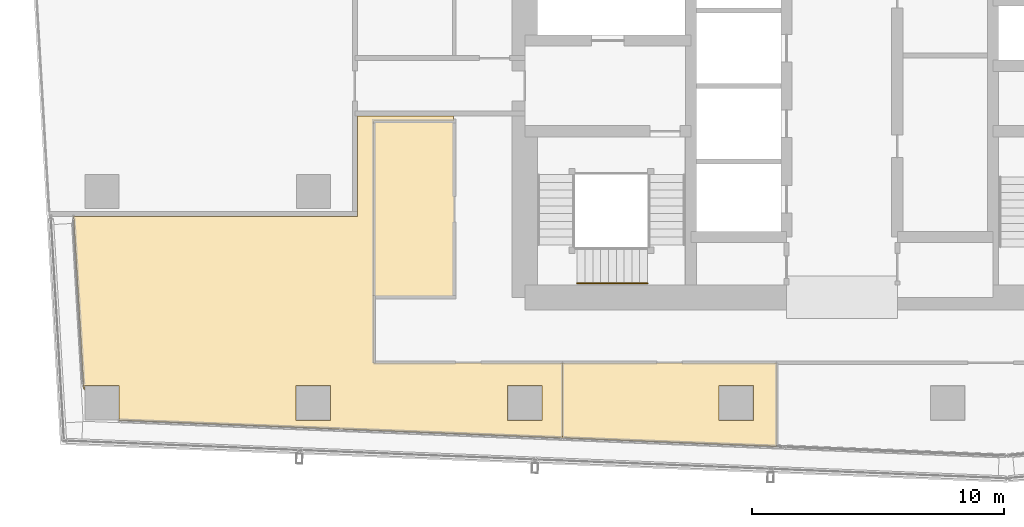
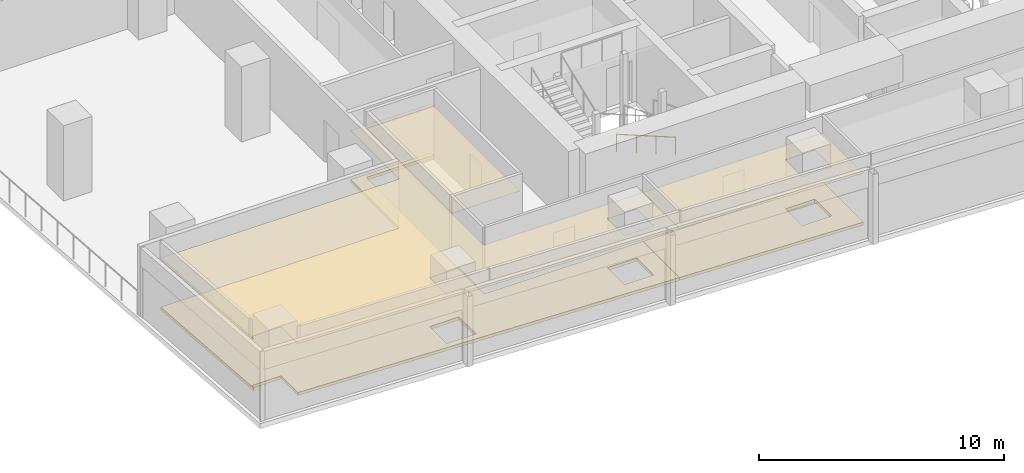
# One storey, part 30 of 39: 5 coverings, 1 railing.
"""IFC4 building model written with IfcOpenShell, lengths in metres."""

from ifc_helpers import new_model, si_unit, direction, frame, origin, origin_2d, place, context, subcontext, project, spatial, polyline, circle, outline, extrude, material, layer, layer_set, type_object, element, save


model = new_model("IFC4")

# Units and contexts
model_context = context("Model", 3, precision=1e-05, world=origin(), true_north=direction((0.0, 1.0)))
body_context = subcontext(model_context, "Body", "Model", "MODEL_VIEW")
ifc_project = project(units=[si_unit("LENGTHUNIT", "METRE"), si_unit("AREAUNIT", "SQUARE_METRE"), si_unit("VOLUMEUNIT", "CUBIC_METRE"), si_unit("PLANEANGLEUNIT", "RADIAN"), si_unit("MASSUNIT", "GRAM", prefix="KILO")], contexts=[model_context])

# Site, building, storey
site_placement = place(None, origin())
site = spatial("IfcSite", under=ifc_project, at=site_placement, CompositionType="ELEMENT")
building_placement = place(site_placement, origin())
building = spatial("IfcBuilding", under=site, at=building_placement, Name="Rekha Terrace Tower", CompositionType="ELEMENT")
storey_placement = place(building_placement, frame((0.0, 0.0, 221.449951171875)))
storey = spatial("IfcBuildingStorey", under=building, at=storey_placement, Name="L56", CompositionType="ELEMENT", Elevation=221.449951171875)

# Coverings
ifc_material_1 = material(Name="Mineral fibre tile in exposed grid", Category="finish")
ifc_layer_1 = layer(ifc_material_1, 0.02001953125)
ifc_layer_set_1 = layer_set([ifc_layer_1], Name="Mineral fibre tile in exposed grid")
covering_type_1 = type_object("IfcCoveringType", Name="CL1 600x1200 office grid ceiling", PredefinedType="CEILING", material=ifc_layer_set_1)
covering_1_placement = place(storey_placement, frame((0.0, 0.0, 2.580078125)))
element("IfcCovering", 1, at=covering_1_placement, inside=storey, type_object=covering_type_1, Name="Ceiling L56-10", PredefinedType="CEILING", context=body_context, shape_type="SweptSolid", body=[
    extrude(outline(polyline([(7.281005859375, 24.178955078125), (7.43505859375, 21.554931640625), (7.68408203125, 17.319091796875), (7.7099609375, 17.320068359375), (7.7099609375, 17.489990234375), (9.090087890625, 17.489990234375), (9.090087890625, 16.117919921875), (17.89990234375, 15.76611328125), (26.702880859375, 15.4150390625), (26.702880859375, 18.39990234375), (19.199951171875, 18.39990234375), (19.199951171875, 28.0), (22.375, 28.0), (22.375, 28.198974609375), (18.551025390625, 28.198974609375), (18.551025390625, 24.2109375), (7.279052734375, 24.2109375), (7.281005859375, 24.178955078125)]), holes=[polyline([(25.889892578125, 17.489990234375), (25.889892578125, 16.110107421875), (24.510009765625, 16.110107421875), (24.510009765625, 17.489990234375), (25.889892578125, 17.489990234375)]), polyline([(17.489990234375, 17.489990234375), (17.489990234375, 16.110107421875), (16.110107421875, 16.110107421875), (16.110107421875, 17.489990234375), (17.489990234375, 17.489990234375)])]), origin(), (0.0, 0.0, 1.0), 0.02001953125),
])
covering_2_placement = place(storey_placement, frame((0.0, 0.0, 2.580078125)))
element("IfcCovering", 2, at=covering_2_placement, inside=storey, type_object=covering_type_1, Name="Ceiling L56-11", PredefinedType="CEILING", context=body_context, shape_type="SweptSolid", body=[
    extrude(outline(polyline([(26.7041015625, 18.39990234375), (26.7041015625, 15.4150390625), (35.197998046875, 15.075927734375), (35.197998046875, 18.39990234375), (26.7041015625, 18.39990234375)]), holes=[polyline([(34.2900390625, 16.110107421875), (32.909912109375, 16.110107421875), (32.909912109375, 17.489990234375), (34.2900390625, 17.489990234375), (34.2900390625, 16.110107421875)])]), origin(), (0.0, 0.0, 1.0), 0.02001953125),
])
ifc_material_2 = material(Name="Fibre cement board", Category="finish")
ifc_layer_2 = layer(ifc_material_2, 0.014892578125)
ifc_layer_set_2 = layer_set([ifc_layer_2], Name="Fibre cement board")
covering_type_2 = type_object("IfcCoveringType", Name="CL2 moisture-resistant board ceiling", PredefinedType="CEILING", material=ifc_layer_set_2)
covering_3_placement = place(storey_placement, frame((0.0, 0.0, 2.5849609375)))
element("IfcCovering", 3, at=covering_3_placement, inside=storey, type_object=covering_type_2, Name="Ceiling L56-WCM", PredefinedType="CEILING", context=body_context, shape_type="SweptSolid", body=[
    extrude(outline(polyline([(22.39990234375, 28.0), (19.199951171875, 28.0), (19.199951171875, 21.0), (22.39990234375, 21.0), (22.39990234375, 28.0)])), origin(), (0.0, 0.0, 1.0), 0.01513671875),
])

# Railing
ifc_material_3 = material(Name="Stainless steel tube", Category="steel")
railing_type = type_object("IfcRailingType", Name="HR1 900 stair handrail", PredefinedType="HANDRAIL", material=ifc_material_3)
railing_placement = place(storey_placement, frame((30.074951171875, 21.56005859375, 1.375)))
element("IfcRailing", 4, at=railing_placement, inside=storey, type_object=railing_type, Name="Handrail ST1 L56 flight 2", PredefinedType="HANDRAIL", context=body_context, shape_type="SweptSolid", body=[
    extrude(circle(Radius=0.02392578125, at=origin_2d()), frame((0.0, 0.0, 0.8759765625), z_axis=(-0.927443287984, 0.0, 0.373963831907), x_axis=(0.0, -1.0, 0.0)), (0.0, 0.0, 1.0), 3.00830078125),
    extrude(circle(Radius=0.02099609375, at=origin_2d()), origin(), (0.0, 0.0, 1.0), 0.851806640625),
    extrude(circle(Radius=0.02099609375, at=origin_2d()), frame((-0.929931640625, 0.0, 0.375)), (0.0, 0.0, 1.0), 0.851806640625),
    extrude(circle(Radius=0.02099609375, at=origin_2d()), frame((-1.860107421875, 0.0, 0.75)), (0.0, 0.0, 1.0), 0.851806640625),
    extrude(circle(Radius=0.02099609375, at=origin_2d()), frame((-2.7900390625, 0.0, 1.125)), (0.0, 0.0, 1.0), 0.851806640625),
])

# Coverings
ifc_material_4 = material(Name="Calcium sulphate panels on steel pedestals", Category="steel")
ifc_layer_3 = layer(ifc_material_4, 0.14990234375)
ifc_layer_set_3 = layer_set([ifc_layer_3], Name="Calcium sulphate panels on steel pedestals")
covering_type_3 = type_object("IfcCoveringType", Name="RF1 150 raised access floor", PredefinedType="FLOORING", material=ifc_layer_set_3)
covering_4_placement = place(storey_placement, origin())
element("IfcCovering", 5, at=covering_4_placement, inside=storey, type_object=covering_type_3, Name="Raised floor L56-10", PredefinedType="FLOORING", context=body_context, shape_type="SweptSolid", body=[
    extrude(outline(polyline([(7.281005859375, 24.178955078125), (7.43505859375, 21.554931640625), (7.68408203125, 17.319091796875), (7.7099609375, 17.320068359375), (7.7099609375, 17.489990234375), (9.090087890625, 17.489990234375), (9.090087890625, 16.117919921875), (17.89990234375, 15.76611328125), (26.702880859375, 15.4150390625), (26.702880859375, 18.39990234375), (19.199951171875, 18.39990234375), (19.199951171875, 28.0), (22.375, 28.0), (22.375, 28.198974609375), (18.551025390625, 28.198974609375), (18.551025390625, 24.2109375), (7.279052734375, 24.2109375), (7.281005859375, 24.178955078125)]), holes=[polyline([(25.889892578125, 17.489990234375), (25.889892578125, 16.110107421875), (24.510009765625, 16.110107421875), (24.510009765625, 17.489990234375), (25.889892578125, 17.489990234375)]), polyline([(17.489990234375, 17.489990234375), (17.489990234375, 16.110107421875), (16.110107421875, 16.110107421875), (16.110107421875, 17.489990234375), (17.489990234375, 17.489990234375)])]), origin(), (0.0, 0.0, 1.0), 0.150146484375),
])
covering_5_placement = place(storey_placement, origin())
element("IfcCovering", 6, at=covering_5_placement, inside=storey, type_object=covering_type_3, Name="Raised floor L56-11", PredefinedType="FLOORING", context=body_context, shape_type="SweptSolid", body=[
    extrude(outline(polyline([(26.7041015625, 18.39990234375), (26.7041015625, 15.4150390625), (35.197998046875, 15.075927734375), (35.197998046875, 18.39990234375), (26.7041015625, 18.39990234375)]), holes=[polyline([(34.2900390625, 16.110107421875), (32.909912109375, 16.110107421875), (32.909912109375, 17.489990234375), (34.2900390625, 17.489990234375), (34.2900390625, 16.110107421875)])]), origin(), (0.0, 0.0, 1.0), 0.150146484375),
])

save(model, "model.ifc")
